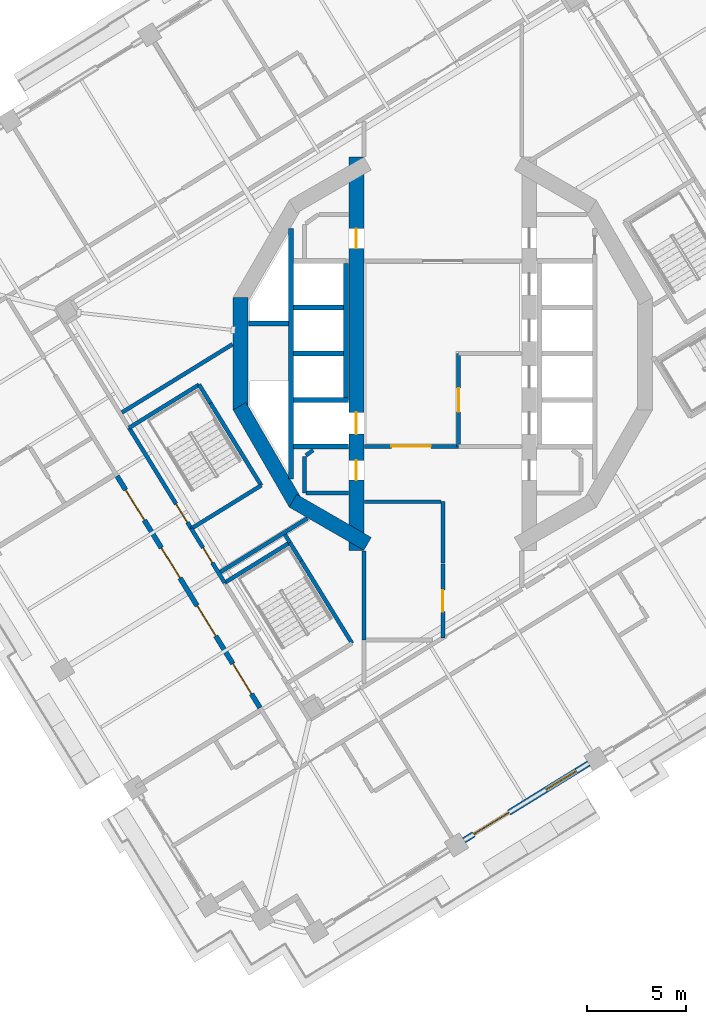
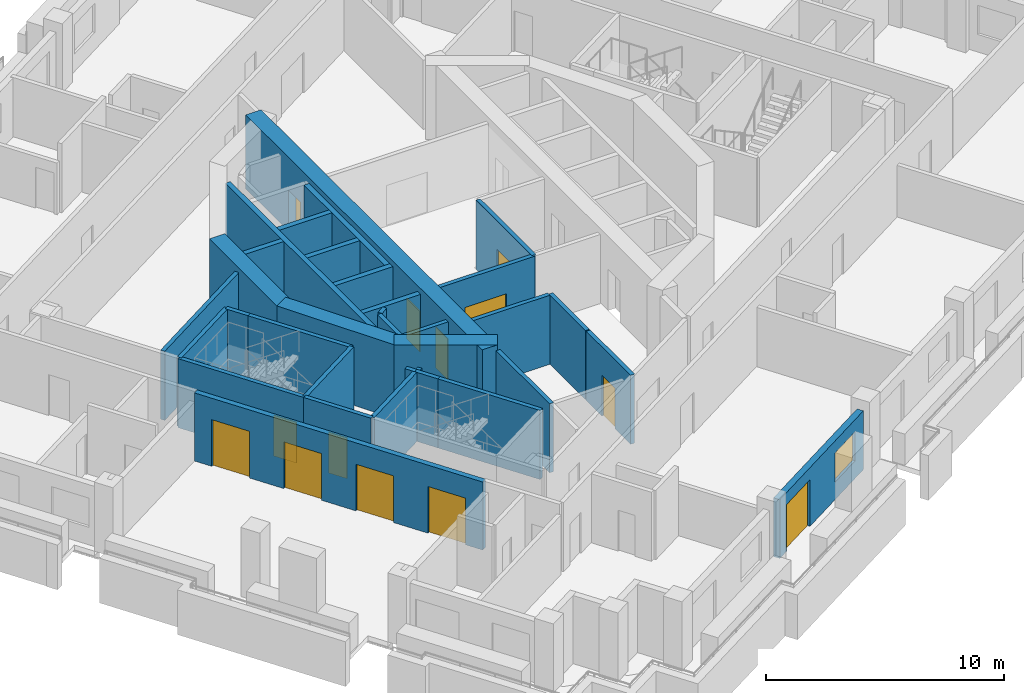
# One storey, part 5 of 20: 34 walls, 13 doors, 1 window, 14 openings.
"""IFC4 building model written with IfcOpenShell, lengths in metres."""

from ifc_helpers import new_model, si_unit, direction, frame, frame_2d, origin, place, context, subcontext, project, spatial, rectangle, extrude, material, layer, layer_set, type_object, element, fill, save


model = new_model("IFC4")

# Units and contexts
model_context = context("Model", 3, precision=1e-05, world=origin(), true_north=direction((0.0, 1.0)))
body_context = subcontext(model_context, "Body", "Model", "MODEL_VIEW")
ifc_project = project(units=[si_unit("LENGTHUNIT", "METRE"), si_unit("AREAUNIT", "SQUARE_METRE"), si_unit("VOLUMEUNIT", "CUBIC_METRE"), si_unit("PLANEANGLEUNIT", "RADIAN"), si_unit("MASSUNIT", "GRAM", prefix="KILO")], contexts=[model_context])

# Site, building, storey
site_placement = place(None, origin())
site = spatial("IfcSite", under=ifc_project, at=site_placement, CompositionType="ELEMENT")
building_placement = place(site_placement, origin())
building = spatial("IfcBuilding", under=site, at=building_placement, Name="Cantera Rosa Tower", CompositionType="ELEMENT")
storey_placement = place(building_placement, frame((0.0, 0.0, 159.0)))
storey = spatial("IfcBuildingStorey", under=building, at=storey_placement, Name="L34", CompositionType="ELEMENT", Elevation=159.0)

# Wall, opening, door
ifc_material_1 = material(Name="Gypsum board partition")
ifc_layer_1 = layer(ifc_material_1, 0.199951171875)
ifc_layer_set_1 = layer_set([ifc_layer_1], Name="CORRIDOR WALL 200 H3550")
wall_type_1 = type_object("IfcWallType", Name="CORRIDOR WALL 200 H3550", PredefinedType="PARTITIONING", material=ifc_layer_set_1)
wall_1_placement = place(storey_placement, frame((-12.74560546875, -8.861328125, 0.0), z_axis=(0.0, 0.0, 1.0), x_axis=(0.524959112102, -0.851127446756, 0.0)))
wall_1 = element("IfcWall", 1, at=wall_1_placement, inside=storey, type_object=wall_type_1, Name="CORRIDOR WALL L34-016", PredefinedType="PARTITIONING", context=body_context, shape_type="SweptSolid", body=[
    extrude(rectangle(XDim=3.223876953125, YDim=0.199951171875, at=frame_2d((1.61181640625, 0.0))), origin(), (0.0, 0.0, 1.0), 3.550048828125),
])
opening_1_placement = place(wall_1_placement, frame((1.139404296875, 0.0, 0.0)))
opening_1 = element("IfcOpeningElement", 2, at=opening_1_placement, cuts=wall_1, Name="Opening L34-008", PredefinedType="OPENING", context=body_context, shape_type="SweptSolid", body=[
    extrude(rectangle(XDim=0.89990234375, YDim=2.10009765625, at=frame_2d((0.449951171875, 1.050048828125))), frame((0.0, 0.10986328125, 0.0), z_axis=(0.0, -1.0, 0.0), x_axis=(1.0, 0.0, 0.0)), (0.0, 0.0, 1.0), 0.219970703125),
])
ifc_material_2 = material(Name="Timber door leaf", Category="wood")
door_type_1 = type_object("IfcDoorType", Name="SERVICE DOOR 900x2100", OperationType="NOTDEFINED", PredefinedType="DOOR", material=ifc_material_2)
door_1_placement = place(opening_1_placement, origin())
door_1 = element("IfcDoor", 3, at=door_1_placement, inside=storey, type_object=door_type_1, Name="DOOR L34-008", OperationType="NOTDEFINED", OverallHeight=2.10009765625, OverallWidth=0.89990234375, PredefinedType="DOOR", context=body_context, shape_type="SweptSolid", body=[
    extrude(rectangle(XDim=0.89990234375, YDim=2.10009765625, at=frame_2d((0.449951171875, 1.050048828125))), frame((0.0, 0.02490234375, 0.0), z_axis=(0.0, -1.0, 0.0), x_axis=(1.0, 0.0, 0.0)), (0.0, 0.0, 1.0), 0.050048828125),
])
fill(opening_1, door_1)

wall_2_placement = place(storey_placement, frame((0.0, -14.392822265625, 0.0), z_axis=(0.0, 0.0, 1.0), x_axis=(0.0, 1.0, 0.0)))
wall_2 = element("IfcWall", 4, at=wall_2_placement, inside=storey, type_object=wall_type_1, Name="CORRIDOR WALL L34-063", PredefinedType="PARTITIONING", context=body_context, shape_type="SweptSolid", body=[
    extrude(rectangle(XDim=3.737548828125, YDim=0.199951171875, at=frame_2d((1.86865234375, 0.0))), origin(), (0.0, 0.0, 1.0), 3.550048828125),
])
opening_2_placement = place(wall_2_placement, frame((1.31884765625, 0.0, 0.0)))
opening_2 = element("IfcOpeningElement", 5, at=opening_2_placement, cuts=wall_2, Name="Opening L34-016", PredefinedType="OPENING", context=body_context, shape_type="SweptSolid", body=[
    extrude(rectangle(XDim=1.10009765625, YDim=2.10009765625, at=frame_2d((0.550048828125, 1.050048828125))), frame((0.0, 0.10986328125, 0.0), z_axis=(0.0, -1.0, 0.0), x_axis=(1.0, 0.0, 0.0)), (0.0, 0.0, 1.0), 0.219970703125),
])
ifc_material_3 = material(Name="Timber door leaf", Category="wood")
door_type_2 = type_object("IfcDoorType", Name="ROOM DOOR 1100x2100", OperationType="NOTDEFINED", PredefinedType="DOOR", material=ifc_material_3)
door_2_placement = place(opening_2_placement, origin())
door_2 = element("IfcDoor", 6, at=door_2_placement, inside=storey, type_object=door_type_2, Name="DOOR L34-016", OperationType="NOTDEFINED", OverallHeight=2.10009765625, OverallWidth=1.10009765625, PredefinedType="DOOR", context=body_context, shape_type="SweptSolid", body=[
    extrude(rectangle(XDim=1.10009765625, YDim=2.10009765625, at=frame_2d((0.550048828125, 1.050048828125))), frame((0.0, 0.02490234375, 0.0), z_axis=(0.0, -1.0, 0.0), x_axis=(1.0, 0.0, 0.0)), (0.0, 0.0, 1.0), 0.050048828125),
])
fill(opening_2, door_2)

# Walls
wall_3_placement = place(storey_placement, frame((0.0, -10.59521484375, 0.0), z_axis=(0.0, 0.0, 1.0), x_axis=(0.0, 1.0, 0.0)))
element("IfcWall", 7, at=wall_3_placement, inside=storey, type_object=wall_type_1, Name="CORRIDOR WALL L34-064", PredefinedType="PARTITIONING", context=body_context, shape_type="SweptSolid", body=[
    extrude(rectangle(XDim=3.09521484375, YDim=0.199951171875, at=frame_2d((1.547607421875, 0.0))), origin(), (0.0, 0.0, 1.0), 3.550048828125),
])
wall_4_placement = place(storey_placement, frame((-0.10009765625, -7.5, 0.0), z_axis=(0.0, 0.0, 1.0), x_axis=(-1.0, 0.0, 0.0)))
element("IfcWall", 8, at=wall_4_placement, inside=storey, type_object=wall_type_1, Name="CORRIDOR WALL L34-065", PredefinedType="PARTITIONING", context=body_context, shape_type="SweptSolid", body=[
    extrude(rectangle(XDim=3.869873046875, YDim=0.199951171875, at=frame_2d((1.93505859375, 0.0))), origin(), (0.0, 0.0, 1.0), 3.550048828125),
])

# Wall, opening, door
wall_5_placement = place(storey_placement, frame((0.800048828125, -4.699951171875, 0.0), z_axis=(0.0, 0.0, 1.0), x_axis=(-1.0, 0.0, 0.0)))
wall_5 = element("IfcWall", 9, at=wall_5_placement, inside=storey, type_object=wall_type_1, Name="CORRIDOR WALL L34-067", PredefinedType="PARTITIONING", context=body_context, shape_type="SweptSolid", body=[
    extrude(rectangle(XDim=4.77001953125, YDim=0.199951171875, at=frame_2d((2.385009765625, 0.0))), origin(), (0.0, 0.0, 1.0), 3.550048828125),
])
opening_3_placement = place(wall_5_placement, frame((1.39990234375, 0.0, 0.0)))
opening_3 = element("IfcOpeningElement", 10, at=opening_3_placement, cuts=wall_5, Name="Opening L34-014", PredefinedType="OPENING", context=body_context, shape_type="SweptSolid", body=[
    extrude(rectangle(XDim=2.0, YDim=2.10009765625, at=frame_2d((1.0, 1.050048828125))), frame((0.0, 0.10986328125, 0.0), z_axis=(0.0, -1.0, 0.0), x_axis=(1.0, 0.0, 0.0)), (0.0, 0.0, 1.0), 0.219970703125),
])
ifc_material_4 = material(Name="Steel S355J2 (EN 10025-2)", Category="steel")
door_type_3 = type_object("IfcDoorType", Name="LOBBY SCREEN DOOR 2000x2100", OperationType="NOTDEFINED", PredefinedType="DOOR", material=ifc_material_4)
door_3_placement = place(opening_3_placement, origin())
door_3 = element("IfcDoor", 11, at=door_3_placement, inside=storey, type_object=door_type_3, Name="DOOR L34-014", OperationType="NOTDEFINED", OverallHeight=2.10009765625, OverallWidth=2.0, PredefinedType="DOOR", context=body_context, shape_type="SweptSolid", body=[
    extrude(rectangle(XDim=2.0, YDim=2.10009765625, at=frame_2d((1.0, 1.050048828125))), frame((0.0, 0.02490234375, 0.0), z_axis=(0.0, -1.0, 0.0), x_axis=(1.0, 0.0, 0.0)), (0.0, 0.0, 1.0), 0.050048828125),
])
fill(opening_3, door_3)

# Wall, openings, window, door
ifc_material_5 = material(Name="Hollow clay masonry with cantera stone cladding", Category="masonry")
ifc_layer_2 = layer(ifc_material_5, 0.300048828125)
ifc_layer_set_2 = layer_set([ifc_layer_2], Name="EW-LOGGIA 300 H3020")
wall_type_2 = type_object("IfcWallType", Name="EW-LOGGIA 300 H3020", PredefinedType="SOLIDWALL", material=ifc_layer_set_2)
wall_6_placement = place(storey_placement, frame((1.07421875, -24.656982421875, 0.0), z_axis=(0.0, 0.0, 1.0), x_axis=(0.85112578684, 0.524961803349, 0.0)))
wall_6 = element("IfcWall", 12, at=wall_6_placement, inside=storey, type_object=wall_type_2, Name="EN-L34-W23", PredefinedType="SOLIDWALL", context=body_context, shape_type="SweptSolid", body=[
    extrude(rectangle(XDim=7.420166015625, YDim=0.300048828125, at=frame_2d((3.7099609375, 0.0))), origin(), (0.0, 0.0, 1.0), 3.02001953125),
])
opening_4_placement = place(wall_6_placement, frame((0.580078125, 0.0, 0.0)))
opening_4 = element("IfcOpeningElement", 13, at=opening_4_placement, cuts=wall_6, Name="Opening L34-TD29", PredefinedType="OPENING", context=body_context, shape_type="SweptSolid", body=[
    extrude(rectangle(XDim=2.10009765625, YDim=2.39990234375, at=frame_2d((1.050048828125, 1.199951171875))), frame((0.0, 0.159912109375, 0.0), z_axis=(0.0, -1.0, 0.0), x_axis=(1.0, 0.0, 0.0)), (0.0, 0.0, 1.0), 0.320068359375),
])
opening_5_placement = place(wall_6_placement, frame((4.889892578125, 0.0, 0.89990234375)))
opening_5 = element("IfcOpeningElement", 14, at=opening_5_placement, cuts=wall_6, Name="Opening L34-W30", PredefinedType="OPENING", context=body_context, shape_type="SweptSolid", body=[
    extrude(rectangle(XDim=1.800048828125, YDim=1.5, at=frame_2d((0.89990234375, 0.75))), frame((0.0, 0.159912109375, 0.0), z_axis=(0.0, -1.0, 0.0), x_axis=(1.0, 0.0, 0.0)), (0.0, 0.0, 1.0), 0.320068359375),
])
ifc_material_6 = material(Name="Aluminium frame with clear glass", Category="aluminium")
window_type = type_object("IfcWindowType", Name="Hotel room window 1800x1500", PartitioningType="DOUBLE_PANEL_VERTICAL", PredefinedType="WINDOW", material=ifc_material_6)
window_placement = place(opening_5_placement, origin())
window = element("IfcWindow", 15, at=window_placement, inside=storey, type_object=window_type, Name="WINDOW L34-W30", OverallHeight=1.5, OverallWidth=1.800048828125, PartitioningType="SINGLE_PANEL", PredefinedType="WINDOW", context=body_context, shape_type="SweptSolid", body=[
    extrude(rectangle(XDim=1.800048828125, YDim=1.5, at=frame_2d((0.89990234375, 0.75))), frame((0.0, 0.030029296875, 0.0), z_axis=(0.0, -1.0, 0.0), x_axis=(1.0, 0.0, 0.0)), (0.0, 0.0, 1.0), 0.06005859375),
])
fill(opening_5, window)
ifc_material_7 = material(Name="Aluminium frame with clear glass", Category="aluminium")
door_type_4 = type_object("IfcDoorType", Name="TD-H 2100x2400", OperationType="NOTDEFINED", PredefinedType="DOOR", material=ifc_material_7)
door_4_placement = place(opening_4_placement, origin())
door_4 = element("IfcDoor", 16, at=door_4_placement, inside=storey, type_object=door_type_4, Name="LOGGIA DOOR L34-TD29", OperationType="SLIDING_TO_LEFT", OverallHeight=2.39990234375, OverallWidth=2.10009765625, PredefinedType="DOOR", context=body_context, shape_type="SweptSolid", body=[
    extrude(rectangle(XDim=2.10009765625, YDim=2.39990234375, at=frame_2d((1.050048828125, 1.199951171875))), frame((0.0, 0.02490234375, 0.0), z_axis=(0.0, -1.0, 0.0), x_axis=(1.0, 0.0, 0.0)), (0.0, 0.0, 1.0), 0.050048828125),
])
fill(opening_4, door_4)

# Wall, openings, doors
ifc_material_8 = material(Name="Hollow clay masonry with cantera stone cladding", Category="masonry")
ifc_layer_3 = layer(ifc_material_8, 0.25)
ifc_layer_set_3 = layer_set([ifc_layer_3], Name="EW-POCKET REAR 250")
wall_type_3 = type_object("IfcWallType", Name="EW-POCKET REAR 250", PredefinedType="SOLIDWALL", material=ifc_layer_set_3)
wall_7_placement = place(storey_placement, frame((-16.50146484375, -6.201171875, 0.0), z_axis=(0.0, 0.0, 1.0), x_axis=(0.524983188769, -0.851112596259, 0.0)))
wall_7 = element("IfcWall", 17, at=wall_7_placement, inside=storey, type_object=wall_type_3, Name="POCKET REAR L34", PredefinedType="SOLIDWALL", context=body_context, shape_type="SweptSolid", body=[
    extrude(rectangle(XDim=13.7900390625, YDim=0.25, at=frame_2d((6.89501953125, 0.0))), origin(), (0.0, 0.0, 1.0), 3.5),
])
opening_6_placement = place(wall_7_placement, frame((0.82373046875, 0.0, 0.0)))
opening_6 = element("IfcOpeningElement", 18, at=opening_6_placement, cuts=wall_7, Name="Opening L34-LT01", PredefinedType="OPENING", context=body_context, shape_type="SweptSolid", body=[
    extrude(rectangle(XDim=1.800048828125, YDim=2.39990234375, at=frame_2d((0.89990234375, 1.199951171875))), frame((0.0, 0.135009765625, 0.0), z_axis=(0.0, -1.0, 0.0), x_axis=(1.0, 0.0, 0.0)), (0.0, 0.0, 1.0), 0.27001953125),
])
opening_7_placement = place(wall_7_placement, frame((4.271240234375, 0.0, 0.0)))
opening_7 = element("IfcOpeningElement", 19, at=opening_7_placement, cuts=wall_7, Name="Opening L34-LT02", PredefinedType="OPENING", context=body_context, shape_type="SweptSolid", body=[
    extrude(rectangle(XDim=1.800048828125, YDim=2.39990234375, at=frame_2d((0.89990234375, 1.199951171875))), frame((0.0, 0.135009765625, 0.0), z_axis=(0.0, -1.0, 0.0), x_axis=(1.0, 0.0, 0.0)), (0.0, 0.0, 1.0), 0.27001953125),
])
opening_8_placement = place(wall_7_placement, frame((7.71875, 0.0, 0.0)))
opening_8 = element("IfcOpeningElement", 20, at=opening_8_placement, cuts=wall_7, Name="Opening L34-LT03", PredefinedType="OPENING", context=body_context, shape_type="SweptSolid", body=[
    extrude(rectangle(XDim=1.800048828125, YDim=2.39990234375, at=frame_2d((0.89990234375, 1.199951171875))), frame((0.0, 0.135009765625, 0.0), z_axis=(0.0, -1.0, 0.0), x_axis=(1.0, 0.0, 0.0)), (0.0, 0.0, 1.0), 0.27001953125),
])
opening_9_placement = place(wall_7_placement, frame((11.166259765625, 0.0, 0.0)))
opening_9 = element("IfcOpeningElement", 21, at=opening_9_placement, cuts=wall_7, Name="Opening L34-LT04", PredefinedType="OPENING", context=body_context, shape_type="SweptSolid", body=[
    extrude(rectangle(XDim=1.800048828125, YDim=2.39990234375, at=frame_2d((0.89990234375, 1.199951171875))), frame((0.0, 0.135009765625, 0.0), z_axis=(0.0, -1.0, 0.0), x_axis=(1.0, 0.0, 0.0)), (0.0, 0.0, 1.0), 0.27001953125),
])
ifc_material_9 = material(Name="Aluminium frame with clear glass", Category="aluminium")
door_type_5 = type_object("IfcDoorType", Name="TD-T 1800x2400", OperationType="NOTDEFINED", PredefinedType="DOOR", material=ifc_material_9)
door_5_placement = place(opening_6_placement, origin())
door_5 = element("IfcDoor", 22, at=door_5_placement, inside=storey, type_object=door_type_5, Name="TERRACE DOOR L34-LT01", OperationType="DOUBLE_DOOR_SINGLE_SWING", OverallHeight=2.39990234375, OverallWidth=1.800048828125, PredefinedType="DOOR", context=body_context, shape_type="SweptSolid", body=[
    extrude(rectangle(XDim=1.800048828125, YDim=2.39990234375, at=frame_2d((0.89990234375, 1.199951171875))), frame((0.0, 0.02490234375, 0.0), z_axis=(0.0, -1.0, 0.0), x_axis=(1.0, 0.0, 0.0)), (0.0, 0.0, 1.0), 0.050048828125),
])
fill(opening_6, door_5)
door_6_placement = place(opening_7_placement, origin())
door_6 = element("IfcDoor", 23, at=door_6_placement, inside=storey, type_object=door_type_5, Name="TERRACE DOOR L34-LT02", OperationType="DOUBLE_DOOR_SINGLE_SWING", OverallHeight=2.39990234375, OverallWidth=1.800048828125, PredefinedType="DOOR", context=body_context, shape_type="SweptSolid", body=[
    extrude(rectangle(XDim=1.800048828125, YDim=2.39990234375, at=frame_2d((0.89990234375, 1.199951171875))), frame((0.0, 0.02490234375, 0.0), z_axis=(0.0, -1.0, 0.0), x_axis=(1.0, 0.0, 0.0)), (0.0, 0.0, 1.0), 0.050048828125),
])
fill(opening_7, door_6)
door_7_placement = place(opening_8_placement, origin())
door_7 = element("IfcDoor", 24, at=door_7_placement, inside=storey, type_object=door_type_5, Name="TERRACE DOOR L34-LT03", OperationType="DOUBLE_DOOR_SINGLE_SWING", OverallHeight=2.39990234375, OverallWidth=1.800048828125, PredefinedType="DOOR", context=body_context, shape_type="SweptSolid", body=[
    extrude(rectangle(XDim=1.800048828125, YDim=2.39990234375, at=frame_2d((0.89990234375, 1.199951171875))), frame((0.0, 0.02490234375, 0.0), z_axis=(0.0, -1.0, 0.0), x_axis=(1.0, 0.0, 0.0)), (0.0, 0.0, 1.0), 0.050048828125),
])
fill(opening_8, door_7)
door_8_placement = place(opening_9_placement, origin())
door_8 = element("IfcDoor", 25, at=door_8_placement, inside=storey, type_object=door_type_5, Name="TERRACE DOOR L34-LT04", OperationType="DOUBLE_DOOR_SINGLE_SWING", OverallHeight=2.39990234375, OverallWidth=1.800048828125, PredefinedType="DOOR", context=body_context, shape_type="SweptSolid", body=[
    extrude(rectangle(XDim=1.800048828125, YDim=2.39990234375, at=frame_2d((0.89990234375, 1.199951171875))), frame((0.0, 0.02490234375, 0.0), z_axis=(0.0, -1.0, 0.0), x_axis=(1.0, 0.0, 0.0)), (0.0, 0.0, 1.0), 0.050048828125),
])
fill(opening_9, door_8)

# Walls
ifc_material_10 = material(Name="Gypsum board partition")
ifc_layer_4 = layer(ifc_material_10, 0.199951171875)
ifc_layer_set_4 = layer_set([ifc_layer_4], Name="PARTITION 200 H2650")
wall_type_4 = type_object("IfcWallType", Name="PARTITION 200 H2650", PredefinedType="PARTITIONING", material=ifc_layer_set_4)
wall_8_placement = place(storey_placement, frame((-6.859619140625, -8.34326171875, 0.0), z_axis=(0.0, 0.0, 1.0), x_axis=(-0.851117537744, -0.524975177455, 0.0)))
element("IfcWall", 26, at=wall_8_placement, inside=storey, type_object=wall_type_4, Name="PARTITION L34-045", PredefinedType="PARTITIONING", context=body_context, shape_type="SweptSolid", body=[
    extrude(rectangle(XDim=5.181640625, YDim=0.199951171875, at=frame_2d((2.5908203125, 0.0))), origin(), (0.0, 0.0, 1.0), 2.64990234375),
])
ifc_material_11 = material(Name="Gypsum board partition")
ifc_layer_5 = layer(ifc_material_11, 0.199951171875)
ifc_layer_set_5 = layer_set([ifc_layer_5], Name="PARTITION 200 H3550")
wall_type_5 = type_object("IfcWallType", Name="PARTITION 200 H3550", PredefinedType="PARTITIONING", material=ifc_layer_set_5)
wall_9_placement = place(storey_placement, frame((-10.6552734375, 0.477294921875, 0.0), z_axis=(0.0, 0.0, 1.0), x_axis=(-0.851128054326, -0.524958127035, 0.0)))
element("IfcWall", 27, at=wall_9_placement, inside=storey, type_object=wall_type_5, Name="PARTITION L34-022", PredefinedType="PARTITIONING", context=body_context, shape_type="SweptSolid", body=[
    extrude(rectangle(XDim=6.58154296875, YDim=0.199951171875, at=frame_2d((3.290771484375, 0.0))), origin(), (0.0, 0.0, 1.0), 3.550048828125),
])
wall_10_placement = place(storey_placement, frame((-7.749267578125, -9.5673828125, 0.0), z_axis=(0.0, 0.0, 1.0), x_axis=(-0.525043930166, 0.851075126763, 0.0)))
element("IfcWall", 28, at=wall_10_placement, inside=storey, type_object=wall_type_5, Name="PARTITION L34-032", PredefinedType="PARTITIONING", context=body_context, shape_type="SweptSolid", body=[
    extrude(rectangle(XDim=0.474853515625, YDim=0.199951171875, at=frame_2d((0.2373046875, 0.0))), origin(), (0.0, 0.0, 1.0), 3.550048828125),
])
wall_11_placement = place(storey_placement, frame((-7.0, -7.050048828125, 0.0), z_axis=(0.0, 0.0, 1.0), x_axis=(0.0, 1.0, 0.0)))
element("IfcWall", 29, at=wall_11_placement, inside=storey, type_object=wall_type_5, Name="PARTITION L34-041", PredefinedType="PARTITIONING", context=body_context, shape_type="SweptSolid", body=[
    extrude(rectangle(XDim=1.85009765625, YDim=0.199951171875, at=frame_2d((0.925048828125, 0.0))), origin(), (0.0, 0.0, 1.0), 3.550048828125),
])
wall_12_placement = place(storey_placement, frame((-6.935302734375, -5.15283203125, 0.0), z_axis=(0.0, 0.0, 1.0), x_axis=(0.808147744029, 0.58897981614, 0.0)))
element("IfcWall", 30, at=wall_12_placement, inside=storey, type_object=wall_type_5, Name="PARTITION L34-042", PredefinedType="PARTITIONING", context=body_context, shape_type="SweptSolid", body=[
    extrude(rectangle(XDim=0.448974609375, YDim=0.199951171875, at=frame_2d((0.224609375, 0.0))), origin(), (0.0, 0.0, 1.0), 3.550048828125),
])
wall_13_placement = place(storey_placement, frame((-4.780029296875, -7.050048828125, 0.0), z_axis=(0.0, 0.0, 1.0), x_axis=(-1.0, 0.0, 0.0)))
element("IfcWall", 31, at=wall_13_placement, inside=storey, type_object=wall_type_5, Name="PARTITION L34-051", PredefinedType="PARTITIONING", context=body_context, shape_type="SweptSolid", body=[
    extrude(rectangle(XDim=2.139892578125, YDim=0.199951171875, at=frame_2d((1.06982421875, 0.0))), origin(), (0.0, 0.0, 1.0), 3.550048828125),
])
wall_14_placement = place(storey_placement, frame((-4.0, -9.994140625, 0.0), z_axis=(0.0, 0.0, 1.0), x_axis=(0.0, -1.0, 0.0)))
element("IfcWall", 32, at=wall_14_placement, inside=storey, type_object=wall_type_5, Name="PARTITION L34-057", PredefinedType="PARTITIONING", context=body_context, shape_type="SweptSolid", body=[
    extrude(rectangle(XDim=4.505859375, YDim=0.199951171875, at=frame_2d((2.2529296875, 0.0))), origin(), (0.0, 0.0, 1.0), 3.550048828125),
])
ifc_material_12 = material(Name="Concrete C60/75", Category="concrete")
ifc_layer_6 = layer(ifc_material_12, 0.75)
ifc_layer_set_6 = layer_set([ifc_layer_6], Name="RC CORE WALL 750 C60/75")
wall_type_6 = type_object("IfcWallType", Name="RC CORE WALL 750 C60/75", PredefinedType="SHEAR", material=ifc_layer_set_6)
wall_15_placement = place(storey_placement, frame((-3.8125, -9.634765625, 0.0), z_axis=(0.0, 0.0, 1.0), x_axis=(-0.866013176292, 0.50002117804, 0.0)))
element("IfcWall", 33, at=wall_15_placement, inside=storey, type_object=wall_type_6, Name="CW-W1 L34", PredefinedType="SHEAR", context=body_context, shape_type="SweptSolid", body=[
    extrude(rectangle(XDim=4.362548828125, YDim=0.75, at=frame_2d((2.18115234375, 0.0))), origin(), (0.0, 0.0, 1.0), 3.800048828125),
])
wall_16_placement = place(storey_placement, frame((-7.453369140625, -7.590576171875, 0.0), z_axis=(0.0, 0.0, 1.0), x_axis=(-0.500021842983, 0.866012792365, 0.0)))
element("IfcWall", 34, at=wall_16_placement, inside=storey, type_object=wall_type_6, Name="CW-W2 L34", PredefinedType="SHEAR", context=body_context, shape_type="SweptSolid", body=[
    extrude(rectangle(XDim=5.694091796875, YDim=0.75, at=frame_2d((2.84716796875, 0.0))), origin(), (0.0, 0.0, 1.0), 3.800048828125),
])
wall_17_placement = place(storey_placement, frame((-10.250244140625, -2.846923828125, 0.0), z_axis=(0.0, 0.0, 1.0), x_axis=(0.0, 1.0, 0.0)))
element("IfcWall", 35, at=wall_17_placement, inside=storey, type_object=wall_type_6, Name="CW-W3 L34", PredefinedType="SHEAR", context=body_context, shape_type="SweptSolid", body=[
    extrude(rectangle(XDim=5.69384765625, YDim=0.75, at=frame_2d((2.846923828125, 0.0))), origin(), (0.0, 0.0, 1.0), 3.800048828125),
])

# Wall, openings, doors
wall_18_placement = place(storey_placement, frame((-4.375, 9.95947265625, 0.0), z_axis=(0.0, 0.0, 1.0), x_axis=(0.0, -1.0, 0.0)))
wall_18 = element("IfcWall", 36, at=wall_18_placement, inside=storey, type_object=wall_type_6, Name="CW-W6 L34", PredefinedType="SHEAR", context=body_context, shape_type="SweptSolid", body=[
    extrude(rectangle(XDim=19.9189453125, YDim=0.75, at=frame_2d((9.95947265625, 0.0))), origin(), (0.0, 0.0, 1.0), 3.800048828125),
])
opening_10_placement = place(wall_18_placement, frame((12.9345703125, 0.0, 0.0)))
opening_10 = element("IfcOpeningElement", 37, at=opening_10_placement, cuts=wall_18, Name="Opening LD-P3-L34", PredefinedType="OPENING", context=body_context, shape_type="SweptSolid", body=[
    extrude(rectangle(XDim=1.10009765625, YDim=2.10009765625, at=frame_2d((0.550048828125, 1.050048828125))), frame((0.0, 0.385009765625, 0.0), z_axis=(0.0, -1.0, 0.0), x_axis=(1.0, 0.0, 0.0)), (0.0, 0.0, 1.0), 0.77001953125),
])
opening_11_placement = place(wall_18_placement, frame((15.368408203125, 0.0, 0.0)))
opening_11 = element("IfcOpeningElement", 38, at=opening_11_placement, cuts=wall_18, Name="Opening SD-L34-17", PredefinedType="OPENING", context=body_context, shape_type="SweptSolid", body=[
    extrude(rectangle(XDim=1.0, YDim=2.10009765625, at=frame_2d((0.5, 1.050048828125))), frame((0.0, 0.385009765625, 0.0), z_axis=(0.0, -1.0, 0.0), x_axis=(1.0, 0.0, 0.0)), (0.0, 0.0, 1.0), 0.77001953125),
])
opening_12_placement = place(wall_18_placement, frame((3.618408203125, 0.0, 0.0)))
opening_12 = element("IfcOpeningElement", 39, at=opening_12_placement, cuts=wall_18, Name="Opening SD-L34-18", PredefinedType="OPENING", context=body_context, shape_type="SweptSolid", body=[
    extrude(rectangle(XDim=1.0, YDim=2.10009765625, at=frame_2d((0.5, 1.050048828125))), frame((0.0, 0.385009765625, 0.0), z_axis=(0.0, -1.0, 0.0), x_axis=(1.0, 0.0, 0.0)), (0.0, 0.0, 1.0), 0.77001953125),
])
ifc_material_13 = material(Name="Steel S355J2 (EN 10025-2)", Category="steel")
door_type_6 = type_object("IfcDoorType", Name="LANDING DOOR 1100x2100", OperationType="NOTDEFINED", PredefinedType="DOOR", material=ifc_material_13)
door_9_placement = place(opening_10_placement, origin())
door_9 = element("IfcDoor", 40, at=door_9_placement, inside=storey, type_object=door_type_6, Name="LANDING DOOR P3 L34", OperationType="SLIDING_TO_LEFT", OverallHeight=2.10009765625, OverallWidth=1.10009765625, PredefinedType="DOOR", context=body_context, shape_type="SweptSolid", body=[
    extrude(rectangle(XDim=1.10009765625, YDim=2.10009765625, at=frame_2d((0.550048828125, 1.050048828125))), frame((0.0, 0.02490234375, 0.0), z_axis=(0.0, -1.0, 0.0), x_axis=(1.0, 0.0, 0.0)), (0.0, 0.0, 1.0), 0.050048828125),
])
fill(opening_10, door_9)
ifc_material_14 = material(Name="Timber door leaf", Category="wood")
door_type_7 = type_object("IfcDoorType", Name="SERVICE DOOR 1000x2100", OperationType="NOTDEFINED", PredefinedType="DOOR", material=ifc_material_14)
door_10_placement = place(opening_11_placement, origin())
door_10 = element("IfcDoor", 41, at=door_10_placement, inside=storey, type_object=door_type_7, Name="DOOR L34-SD17", OperationType="NOTDEFINED", OverallHeight=2.10009765625, OverallWidth=1.0, PredefinedType="DOOR", context=body_context, shape_type="SweptSolid", body=[
    extrude(rectangle(XDim=1.0, YDim=2.10009765625, at=frame_2d((0.5, 1.050048828125))), frame((0.0, 0.02490234375, 0.0), z_axis=(0.0, -1.0, 0.0), x_axis=(1.0, 0.0, 0.0)), (0.0, 0.0, 1.0), 0.050048828125),
])
fill(opening_11, door_10)
door_11_placement = place(opening_12_placement, origin())
door_11 = element("IfcDoor", 42, at=door_11_placement, inside=storey, type_object=door_type_7, Name="DOOR L34-SD18", OperationType="NOTDEFINED", OverallHeight=2.10009765625, OverallWidth=1.0, PredefinedType="DOOR", context=body_context, shape_type="SweptSolid", body=[
    extrude(rectangle(XDim=1.0, YDim=2.10009765625, at=frame_2d((0.5, 1.050048828125))), frame((0.0, 0.02490234375, 0.0), z_axis=(0.0, -1.0, 0.0), x_axis=(1.0, 0.0, 0.0)), (0.0, 0.0, 1.0), 0.050048828125),
])
fill(opening_12, door_11)

# Walls
ifc_material_15 = material(Name="Masonry blockwork", Category="masonry")
ifc_layer_7 = layer(ifc_material_15, 0.25)
ifc_layer_set_7 = layer_set([ifc_layer_7], Name="SHAFT WALL 250 H3550")
wall_type_7 = type_object("IfcWallType", Name="SHAFT WALL 250 H3550", PredefinedType="SOLIDWALL", material=ifc_layer_set_7)
wall_19_placement = place(storey_placement, frame((-9.84521484375, 1.539306640625, 0.0), z_axis=(0.0, 0.0, 1.0), x_axis=(1.0, 0.0, 0.0)))
element("IfcWall", 43, at=wall_19_placement, inside=storey, type_object=wall_type_7, Name="SHAFT WALL L34-024", PredefinedType="SOLIDWALL", context=body_context, shape_type="SweptSolid", body=[
    extrude(rectangle(XDim=2.020263671875, YDim=0.25, at=frame_2d((1.01025390625, 0.0))), origin(), (0.0, 0.0, 1.0), 3.550048828125),
])
wall_20_placement = place(storey_placement, frame((-7.574951171875, -2.35009765625, 0.0), z_axis=(0.0, 0.0, 1.0), x_axis=(1.0, 0.0, 0.0)))
element("IfcWall", 44, at=wall_20_placement, inside=storey, type_object=wall_type_7, Name="SHAFT WALL L34-033", PredefinedType="SOLIDWALL", context=body_context, shape_type="SweptSolid", body=[
    extrude(rectangle(XDim=2.794921875, YDim=0.25, at=frame_2d((1.3974609375, 0.0))), origin(), (0.0, 0.0, 1.0), 3.550048828125),
])
for number, where, z_axis, x_axis, name in (
    (45, (-7.574951171875, 0.0, 0.0), (0.0, 0.0, 1.0), (1.0, 0.0, 0.0), "SHAFT WALL L34-034"),
    (46, (-7.574951171875, 2.35009765625, 0.0), (0.0, 0.0, 1.0), (1.0, 0.0, 0.0), "SHAFT WALL L34-035"),
):
    element("IfcWall", number, at=place(storey_placement, frame(where, z_axis=z_axis, x_axis=x_axis)), inside=storey, type_object=wall_type_7, Name=name, PredefinedType="SOLIDWALL", context=body_context, shape_type="SweptSolid", body=[
        extrude(rectangle(XDim=2.550048828125, YDim=0.25, at=frame_2d((1.27490234375, 0.0))), origin(), (0.0, 0.0, 1.0), 3.550048828125),
    ])
wall_21_placement = place(storey_placement, frame((-7.699951171875, 6.353515625, 0.0), z_axis=(0.0, 0.0, 1.0), x_axis=(0.0, -1.0, 0.0)))
element("IfcWall", 47, at=wall_21_placement, inside=storey, type_object=wall_type_7, Name="SHAFT WALL L34-037", PredefinedType="SOLIDWALL", context=body_context, shape_type="SweptSolid", body=[
    extrude(rectangle(XDim=12.70703125, YDim=0.25, at=frame_2d((6.353515625, 0.0))), origin(), (0.0, 0.0, 1.0), 3.550048828125),
])
wall_22_placement = place(storey_placement, frame((-4.89990234375, 4.580078125, 0.0), z_axis=(0.0, 0.0, 1.0), x_axis=(0.0, -1.0, 0.0)))
element("IfcWall", 48, at=wall_22_placement, inside=storey, type_object=wall_type_7, Name="SHAFT WALL L34-050", PredefinedType="SOLIDWALL", context=body_context, shape_type="SweptSolid", body=[
    extrude(rectangle(XDim=6.80517578125, YDim=0.25, at=frame_2d((3.402587890625, 0.0))), origin(), (0.0, 0.0, 1.0), 3.550048828125),
])
wall_23_placement = place(storey_placement, frame((-4.780029296875, -4.699951171875, 0.0), z_axis=(0.0, 0.0, 1.0), x_axis=(-1.0, 0.0, 0.0)))
element("IfcWall", 49, at=wall_23_placement, inside=storey, type_object=wall_type_7, Name="SHAFT WALL L34-052", PredefinedType="SOLIDWALL", context=body_context, shape_type="SweptSolid", body=[
    extrude(rectangle(XDim=2.794921875, YDim=0.25, at=frame_2d((1.3974609375, 0.0))), origin(), (0.0, 0.0, 1.0), 3.550048828125),
])

# Wall, opening, door
ifc_material_16 = material(Name="Concrete C50/60", Category="concrete")
ifc_layer_8 = layer(ifc_material_16, 0.199951171875)
ifc_layer_set_8 = layer_set([ifc_layer_8], Name="STAIR WALL 200 H3550")
wall_type_8 = type_object("IfcWallType", Name="STAIR WALL 200 H3550", PredefinedType="SOLIDWALL", material=ifc_layer_set_8)
wall_24_placement = place(storey_placement, frame((-15.8955078125, -3.754638671875, 0.0), z_axis=(0.0, 0.0, 1.0), x_axis=(0.524982543144, -0.851112994493, 0.0)))
wall_24 = element("IfcWall", 50, at=wall_24_placement, inside=storey, type_object=wall_type_8, Name="STAIR WALL L34-013", PredefinedType="SOLIDWALL", context=body_context, shape_type="SweptSolid", body=[
    extrude(rectangle(XDim=6.0, YDim=0.199951171875, at=frame_2d((3.0, 0.0))), origin(), (0.0, 0.0, 1.0), 3.550048828125),
])
opening_13_placement = place(wall_24_placement, frame((4.52490234375, 0.0, 0.0)))
opening_13 = element("IfcOpeningElement", 51, at=opening_13_placement, cuts=wall_24, Name="Opening L34-002", PredefinedType="OPENING", context=body_context, shape_type="SweptSolid", body=[
    extrude(rectangle(XDim=1.10009765625, YDim=2.10009765625, at=frame_2d((0.550048828125, 1.050048828125))), frame((0.0, 0.10986328125, 0.0), z_axis=(0.0, -1.0, 0.0), x_axis=(1.0, 0.0, 0.0)), (0.0, 0.0, 1.0), 0.219970703125),
])
ifc_material_17 = material(Name="Steel S355J2 (EN 10025-2)", Category="steel")
door_type_8 = type_object("IfcDoorType", Name="STAIR DOOR 1100x2100", OperationType="NOTDEFINED", PredefinedType="DOOR", material=ifc_material_17)
door_12_placement = place(opening_13_placement, origin())
door_12 = element("IfcDoor", 52, at=door_12_placement, inside=storey, type_object=door_type_8, Name="DOOR L34-002", OperationType="NOTDEFINED", OverallHeight=2.10009765625, OverallWidth=1.10009765625, PredefinedType="DOOR", context=body_context, shape_type="SweptSolid", body=[
    extrude(rectangle(XDim=1.10009765625, YDim=2.10009765625, at=frame_2d((0.550048828125, 1.050048828125))), frame((0.0, 0.02490234375, 0.0), z_axis=(0.0, -1.0, 0.0), x_axis=(1.0, 0.0, 0.0)), (0.0, 0.0, 1.0), 0.050048828125),
])
fill(opening_13, door_12)

# Walls
for number, where, z_axis, x_axis, name in (
    (53, (-12.74560546875, -8.861328125, 0.0), (0.0, 0.0, 1.0), (0.851120688733, 0.524970068871, 0.0), "STAIR WALL L34-017"),
    (54, (-12.349365234375, -1.5673828125, 0.0), (0.0, 0.0, 1.0), (-0.851120688733, -0.524970068871, 0.0), "STAIR WALL L34-019"),
):
    element("IfcWall", number, at=place(storey_placement, frame(where, z_axis=z_axis, x_axis=x_axis)), inside=storey, type_object=wall_type_8, Name=name, PredefinedType="SOLIDWALL", context=body_context, shape_type="SweptSolid", body=[
        extrude(rectangle(XDim=4.16650390625, YDim=0.199951171875, at=frame_2d((2.083251953125, 0.0))), origin(), (0.0, 0.0, 1.0), 3.550048828125),
    ])
wall_25_placement = place(storey_placement, frame((-11.05322265625, -11.605224609375, 0.0), z_axis=(0.0, 0.0, 1.0), x_axis=(0.851124503894, 0.524963883397, 0.0)))
element("IfcWall", 55, at=wall_25_placement, inside=storey, type_object=wall_type_8, Name="STAIR WALL L34-021", PredefinedType="SOLIDWALL", context=body_context, shape_type="SweptSolid", body=[
    extrude(rectangle(XDim=3.8818359375, YDim=0.199951171875, at=frame_2d((1.94091796875, 0.0))), origin(), (0.0, 0.0, 1.0), 3.550048828125),
])
for number, where, z_axis, x_axis, name in (
    (56, (-9.199462890625, -6.674072265625, 0.0), (0.0, 0.0, 1.0), (-0.524942245614, 0.851137849452, 0.0), "STAIR WALL L34-026"),
    (57, (-4.599365234375, -14.674072265625, 0.0), (0.0, 0.0, 1.0), (-0.524978338244, 0.85111558814, 0.0), "STAIR WALL L34-054"),
):
    element("IfcWall", number, at=place(storey_placement, frame(where, z_axis=z_axis, x_axis=x_axis)), inside=storey, type_object=wall_type_8, Name=name, PredefinedType="SOLIDWALL", context=body_context, shape_type="SweptSolid", body=[
        extrude(rectangle(XDim=4.900146484375, YDim=0.199951171875, at=frame_2d((2.4501953125, 0.0))), origin(), (0.0, 0.0, 1.0), 3.550048828125),
    ])

# Wall, opening, door
wall_26_placement = place(storey_placement, frame((0.800048828125, -4.699951171875, 0.0), z_axis=(0.0, 0.0, 1.0), x_axis=(0.0, 1.0, 0.0)))
wall_26 = element("IfcWall", 58, at=wall_26_placement, inside=storey, type_object=wall_type_8, Name="STAIR WALL L34-068", PredefinedType="SOLIDWALL", context=body_context, shape_type="SweptSolid", body=[
    extrude(rectangle(XDim=4.699951171875, YDim=0.199951171875, at=frame_2d((2.35009765625, 0.0))), origin(), (0.0, 0.0, 1.0), 3.550048828125),
])
opening_14_placement = place(wall_26_placement, frame((1.75, 0.0, 0.0)))
opening_14 = element("IfcOpeningElement", 59, at=opening_14_placement, cuts=wall_26, Name="Opening L34-015", PredefinedType="OPENING", context=body_context, shape_type="SweptSolid", body=[
    extrude(rectangle(XDim=1.199951171875, YDim=2.10009765625, at=frame_2d((0.60009765625, 1.050048828125))), frame((0.0, 0.10986328125, 0.0), z_axis=(0.0, -1.0, 0.0), x_axis=(1.0, 0.0, 0.0)), (0.0, 0.0, 1.0), 0.219970703125),
])
ifc_material_18 = material(Name="Steel S355J2 (EN 10025-2)", Category="steel")
door_type_9 = type_object("IfcDoorType", Name="FIRE DOOR 1200x2100", OperationType="NOTDEFINED", PredefinedType="DOOR", material=ifc_material_18)
door_13_placement = place(opening_14_placement, origin())
door_13 = element("IfcDoor", 60, at=door_13_placement, inside=storey, type_object=door_type_9, Name="DOOR L34-015", OperationType="NOTDEFINED", OverallHeight=2.10009765625, OverallWidth=1.199951171875, PredefinedType="DOOR", context=body_context, shape_type="SweptSolid", body=[
    extrude(rectangle(XDim=1.199951171875, YDim=2.10009765625, at=frame_2d((0.60009765625, 1.050048828125))), frame((0.0, 0.02490234375, 0.0), z_axis=(0.0, -1.0, 0.0), x_axis=(1.0, 0.0, 0.0)), (0.0, 0.0, 1.0), 0.050048828125),
])
fill(opening_14, door_13)

# Walls
for number, where, z_axis, x_axis, name in (
    (61, (-11.771728515625, -2.50341796875, 0.0), (0.0, 0.0, 1.0), (-0.525162052325, 0.851002243709, 0.0), "STAIR WALL L34-026 J"),
    (62, (-7.171875, -10.50341796875, 0.0), (0.0, 0.0, 1.0), (-0.52500127828, 0.851101438023, 0.0), "STAIR WALL L34-054 J"),
):
    element("IfcWall", number, at=place(storey_placement, frame(where, z_axis=z_axis, x_axis=x_axis)), inside=storey, type_object=wall_type_8, Name=name, PredefinedType="SOLIDWALL", context=body_context, shape_type="SweptSolid", body=[
        extrude(rectangle(XDim=1.099853515625, YDim=0.199951171875, at=frame_2d((0.5498046875, 0.0))), origin(), (0.0, 0.0, 1.0), 3.550048828125),
    ])

save(model, "model.ifc")
